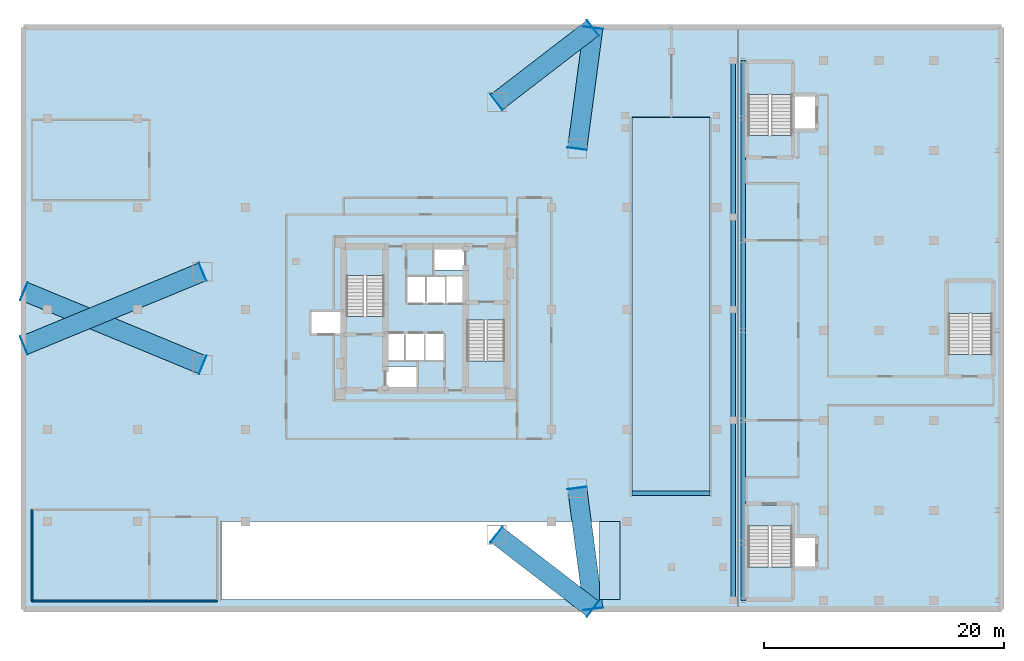
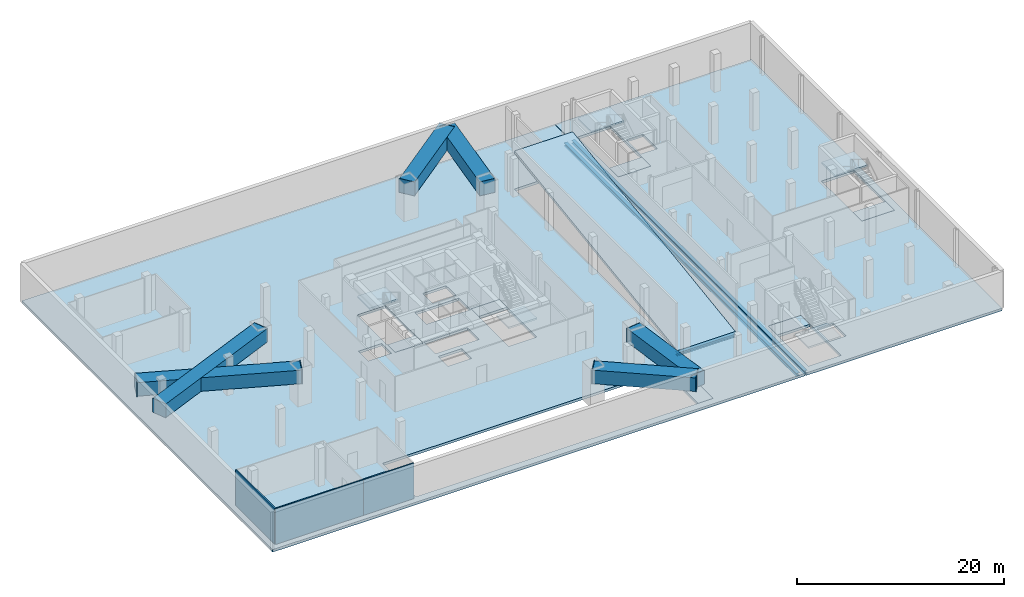
# One storey, part 4 of 14: 14 slabs, 12 plates, 9 beams, 3 walls, 5 elements without a shape of their own.
"""IFC4 building model written with IfcOpenShell, lengths in metres."""

from ifc_helpers import new_model, si_unit, direction, frame, frame_2d, origin, origin_2d, place, context, subcontext, project, spatial, polyline, rectangle, hollow_rectangle, i_section, outline, extrude, material, layer, layer_set, material_profile, profile_set, type_object, element, aggregate, save


model = new_model("IFC4")

# Units and contexts
model_context = context("Model", 3, precision=1e-05, world=origin(), true_north=direction((0.0, 1.0)))
body_context = subcontext(model_context, "Body", "Model", "MODEL_VIEW")
ifc_project = project(units=[si_unit("LENGTHUNIT", "METRE"), si_unit("AREAUNIT", "SQUARE_METRE"), si_unit("VOLUMEUNIT", "CUBIC_METRE"), si_unit("PLANEANGLEUNIT", "RADIAN"), si_unit("MASSUNIT", "GRAM", prefix="KILO")], contexts=[model_context])

# Site, building, storey
site_placement = place(None, origin())
site = spatial("IfcSite", under=ifc_project, at=site_placement, CompositionType="ELEMENT")
building_placement = place(site_placement, origin())
building = spatial("IfcBuilding", under=site, at=building_placement, Name="Mersakhor Tower and Convention Hall", CompositionType="ELEMENT")
storey_placement = place(building_placement, frame((0.0, 0.0, -4.5)))
storey = spatial("IfcBuildingStorey", under=building, at=storey_placement, Name="B01", CompositionType="ELEMENT", Elevation=-4.5)

# Beams
ifc_material_1 = material(Name="Steel S355", Category="steel")
ifc_material_profile_1 = material_profile(ifc_material_1, i_section(OverallWidth=0.374755859375, OverallDepth=0.37451171875, WebThickness=0.0166015625, FlangeThickness=0.027099609375, at=origin_2d()), Name="UC 356x368x202")
ifc_profile_set_1 = profile_set([ifc_material_profile_1], Name="Steel S355")
beam_type_1 = type_object("IfcBeamType", Name="BM-SPD-UC356", PredefinedType="SPANDREL", material=ifc_profile_set_1)
for number, where, z_axis, x_axis, name in (
    (1, (54.64990234375, 3.25, -0.487060546875), (0.0, 1.0, 0.0), (-1.0, 0.0, 0.0), "B01 Movement Joint West Edge Beam"),
    (2, (55.5, 3.25, -0.487060546875), (0.0, 1.0, 0.0), (-1.0, 0.0, 0.0), "B01 Movement Joint East Edge Beam"),
):
    element("IfcBeam", number, at=place(storey_placement, frame(where, z_axis=z_axis, x_axis=x_axis)), inside=storey, type_object=beam_type_1, Name=name, PredefinedType="SPANDREL", context=body_context, shape_type="SweptSolid", body=[
        extrude(i_section(OverallWidth=0.374755859375, OverallDepth=0.37451171875, WebThickness=0.0166015625, FlangeThickness=0.027099609375, at=origin_2d()), origin(), (0.0, 0.0, 1.0), 45.0),
    ])
beam_1_placement = place(storey_placement, frame((46.199951171875, 12.179931640625, -0.487060546875), z_axis=(1.0, 0.0, 0.0), x_axis=(0.0, 1.0, 0.0)))
element("IfcBeam", 3, at=beam_1_placement, inside=storey, type_object=beam_type_1, Name="B01 Vehicle Ramp Foot Bearing Beam", PredefinedType="SPANDREL", context=body_context, shape_type="SweptSolid", body=[
    extrude(i_section(OverallWidth=0.374755859375, OverallDepth=0.37451171875, WebThickness=0.0166015625, FlangeThickness=0.027099609375, at=origin_2d()), origin(), (0.0, 0.0, 1.0), 6.5),
])
ifc_material_2 = material(Name="Steel S460", Category="steel")
ifc_material_profile_2 = material_profile(ifc_material_2, hollow_rectangle(XDim=1.60009765625, YDim=1.60009765625, WallThickness=0.0400390625, at=origin_2d()), Name="SHS 1600x1600x40")
ifc_profile_set_2 = profile_set([ifc_material_profile_2], Name="Steel S460")
beam_type_2 = type_object("IfcBeamType", Name="BM-TR-BOX1600", PredefinedType="BEAM", material=ifc_profile_set_2)
beam_2_placement = place(storey_placement, frame((10.416748046875, 30.6279296875, 3.39990234375), z_axis=(-0.924437396985, -0.381333842002, 0.0), x_axis=(0.381333842002, -0.924437396985, 0.0)))
element("IfcBeam", 4, at=beam_2_placement, inside=storey, type_object=beam_type_2, Name="B01 Pilotis Y-Branch Foot Transfer Girder YFT-F1-A", PredefinedType="BEAM", context=body_context, shape_type="SweptSolid", body=[
    extrude(hollow_rectangle(XDim=1.60009765625, YDim=1.60009765625, WallThickness=0.0400390625, at=origin_2d()), origin(), (0.0, 0.0, 1.0), 16.081787109375),
])
beam_3_placement = place(storey_placement, frame((34.933349609375, 44.78271484375, 3.39990234375), z_axis=(0.792468685056, 0.609912602925, 0.0), x_axis=(-0.609912602925, 0.792468685056, 0.0)))
element("IfcBeam", 5, at=beam_3_placement, inside=storey, type_object=beam_type_2, Name="B01 Pilotis Y-Branch Foot Transfer Girder YFT-F1-B", PredefinedType="BEAM", context=body_context, shape_type="SweptSolid", body=[
    extrude(hollow_rectangle(XDim=1.60009765625, YDim=1.60009765625, WallThickness=0.0400390625, at=origin_2d()), origin(), (0.0, 0.0, 1.0), 10.111572265625),
])
for number, where, z_axis, x_axis, name in (
    (6, (41.64990234375, 40.904541015625, 3.39990234375), (0.131971198977, 0.991253551136, 0.0), (-0.991253551136, 0.131971198977, 0.0), "B01 Pilotis Y-Branch Foot Transfer Girder YFT-F2-A"),
    (7, (41.64990234375, 12.595458984375, 3.39990234375), (0.131971198977, -0.991253551136, 0.0), (0.991253551136, 0.131971198977, 0.0), "B01 Pilotis Y-Branch Foot Transfer Girder YFT-F2-B"),
):
    element("IfcBeam", number, at=place(storey_placement, frame(where, z_axis=z_axis, x_axis=x_axis)), inside=storey, type_object=beam_type_2, Name=name, PredefinedType="BEAM", context=body_context, shape_type="SweptSolid", body=[
        extrude(hollow_rectangle(XDim=1.60009765625, YDim=1.60009765625, WallThickness=0.0400390625, at=origin_2d()), origin(), (0.0, 0.0, 1.0), 10.134033203125),
    ])
beam_4_placement = place(storey_placement, frame((34.933349609375, 8.71728515625, 3.39990234375), z_axis=(0.792468685056, -0.609912602925, 0.0), x_axis=(0.609912602925, 0.792468685056, 0.0)))
element("IfcBeam", 8, at=beam_4_placement, inside=storey, type_object=beam_type_2, Name="B01 Pilotis Y-Branch Foot Transfer Girder YFT-F3-A", PredefinedType="BEAM", context=body_context, shape_type="SweptSolid", body=[
    extrude(hollow_rectangle(XDim=1.60009765625, YDim=1.60009765625, WallThickness=0.0400390625, at=origin_2d()), origin(), (0.0, 0.0, 1.0), 10.111572265625),
])
beam_5_placement = place(storey_placement, frame((10.416748046875, 22.8720703125, 3.39990234375), z_axis=(-0.924437396985, 0.381333842002, 0.0), x_axis=(-0.381333842002, -0.924437396985, 0.0)))
element("IfcBeam", 9, at=beam_5_placement, inside=storey, type_object=beam_type_2, Name="B01 Pilotis Y-Branch Foot Transfer Girder YFT-F3-B", PredefinedType="BEAM", context=body_context, shape_type="SweptSolid", body=[
    extrude(hollow_rectangle(XDim=1.60009765625, YDim=1.60009765625, WallThickness=0.0400390625, at=origin_2d()), origin(), (0.0, 0.0, 1.0), 16.081787109375),
])

# Plates
ifc_material_3 = material(Name="Steel S355", Category="steel")
ifc_layer_1 = layer(ifc_material_3, 0.031982421875)
ifc_layer_set_1 = layer_set([ifc_layer_1], Name="Steel S355")
plate_type = type_object("IfcPlateType", Name="PL-CAP-32", PredefinedType="SHEET", material=ifc_layer_set_1)
for number, where, z_axis, x_axis, name in (
    (10, (10.431396484375, 30.634033203125, 2.580078125), (0.0, 0.0, 1.0), (-0.924412958633, -0.381393080575, 0.0), "B01 Foot Transfer Inner End Cap Plate YCP0-F1-A"),
    (11, (-4.46484375, 24.4892578125, 2.580078125), (0.0, 0.0, 1.0), (-0.924412958633, -0.381393080575, 0.0), "B01 Foot Transfer Wall End Cap Plate YCP1-F1-A"),
    (12, (34.920654296875, 44.772705078125, 2.580078125), (0.0, 0.0, 1.0), (0.792502575922, 0.609868565477, 0.0), "B01 Foot Transfer Inner End Cap Plate YCP0-F1-B"),
    (13, (42.959228515625, 50.959716796875, 2.580078125), (0.0, 0.0, 1.0), (0.792502575922, 0.609868565477, 0.0), "B01 Foot Transfer Wall End Cap Plate YCP1-F1-B"),
    (14, (41.64794921875, 40.888671875, 2.580078125), (0.0, 0.0, 1.0), (0.131910382711, 0.991261646052, 0.0), "B01 Foot Transfer Inner End Cap Plate YCP0-F2-A"),
    (15, (42.989501953125, 50.9658203125, 2.580078125), (0.0, 0.0, 1.0), (0.131910382711, 0.991261646052, 0.0), "B01 Foot Transfer Wall End Cap Plate YCP1-F2-A"),
    (16, (41.64794921875, 12.611328125, 2.580078125), (0.0, 0.0, 1.0), (0.131910382711, -0.991261646052, 0.0), "B01 Foot Transfer Inner End Cap Plate YCP0-F2-B"),
    (17, (42.989501953125, 2.5341796875, 2.580078125), (0.0, 0.0, 1.0), (0.131910382711, -0.991261646052, 0.0), "B01 Foot Transfer Wall End Cap Plate YCP1-F2-B"),
    (18, (34.920654296875, 8.727294921875, 2.580078125), (0.0, 0.0, 1.0), (0.792502575922, -0.609868565477, 0.0), "B01 Foot Transfer Inner End Cap Plate YCP0-F3-A"),
    (19, (42.959228515625, 2.540283203125, 2.580078125), (0.0, 0.0, 1.0), (0.792502575922, -0.609868565477, 0.0), "B01 Foot Transfer Wall End Cap Plate YCP1-F3-A"),
    (20, (10.431396484375, 22.865966796875, 2.580078125), (0.0, 0.0, 1.0), (-0.924412958633, 0.381393080575, 0.0), "B01 Foot Transfer Inner End Cap Plate YCP0-F3-B"),
    (21, (-4.46484375, 29.0107421875, 2.580078125), (0.0, 0.0, 1.0), (-0.924412958633, 0.381393080575, 0.0), "B01 Foot Transfer Wall End Cap Plate YCP1-F3-B"),
):
    element("IfcPlate", number, at=place(storey_placement, frame(where, z_axis=z_axis, x_axis=x_axis)), inside=storey, type_object=plate_type, Name=name, PredefinedType="SHEET", context=body_context, shape_type="SweptSolid", body=[
        extrude(rectangle(XDim=0.031982421875, YDim=1.639892578125, at=origin_2d()), origin(), (0.0, 0.0, 1.0), 1.639892578125),
    ])

# Slabs
ifc_material_4 = material(Name="Concrete C45/55", Category="concrete")
ifc_layer_2 = layer(ifc_material_4, 0.300048828125)
ifc_layer_set_2 = layer_set([ifc_layer_2], Name="Concrete C45/55")
slab_type_1 = type_object("IfcSlabType", Name="SL-FLR-300", PredefinedType="FLOOR", material=ifc_layer_set_2)
slab_1_placement = place(storey_placement, frame((0.0, 0.0, -0.300048828125)))
element("IfcSlab", 22, at=slab_1_placement, inside=storey, type_object=slab_type_1, Name="B01 ST-1 Structural Stair Floor Landing", PredefinedType="LANDING", context=body_context, shape_type="SweptSolid", body=[
    extrude(outline(polyline([(25.550048828125, 25.39990234375), (25.550048828125, 26.89990234375), (22.39990234375, 26.89990234375), (22.39990234375, 25.39990234375), (25.550048828125, 25.39990234375)])), origin(), (0.0, 0.0, 1.0), 0.300048828125),
])
slab_2_placement = place(storey_placement, frame((0.0, 0.0, -0.300048828125)))
element("IfcSlab", 23, at=slab_2_placement, inside=storey, type_object=slab_type_1, Name="B01 ST-2 Structural Stair Floor Landing", PredefinedType="LANDING", context=body_context, shape_type="SweptSolid", body=[
    extrude(outline(polyline([(32.449951171875, 28.10009765625), (32.449951171875, 26.60009765625), (35.60009765625, 26.60009765625), (35.60009765625, 28.10009765625), (32.449951171875, 28.10009765625)])), origin(), (0.0, 0.0, 1.0), 0.300048828125),
])
slab_3_placement = place(storey_placement, frame((0.0, 0.0, -0.300048828125)))
element("IfcSlab", 24, at=slab_3_placement, inside=storey, type_object=slab_type_1, Name="B01 CH-ST1 Structural Stair Floor Landing", PredefinedType="LANDING", context=body_context, shape_type="SweptSolid", body=[
    extrude(outline(polyline([(55.89990234375, 11.199951171875), (55.89990234375, 9.449951171875), (59.550048828125, 9.449951171875), (59.550048828125, 11.199951171875), (55.89990234375, 11.199951171875)])), origin(), (0.0, 0.0, 1.0), 0.300048828125),
])
slab_4_placement = place(storey_placement, frame((0.0, 0.0, -0.300048828125)))
element("IfcSlab", 25, at=slab_4_placement, inside=storey, type_object=slab_type_1, Name="B01 CH-ST2 Structural Stair Floor Landing", PredefinedType="LANDING", context=body_context, shape_type="SweptSolid", body=[
    extrude(outline(polyline([(59.550048828125, 40.25), (59.550048828125, 42.0), (55.89990234375, 42.0), (55.89990234375, 40.25), (59.550048828125, 40.25)])), origin(), (0.0, 0.0, 1.0), 0.300048828125),
])
slab_5_placement = place(storey_placement, frame((0.0, 0.0, -0.300048828125)))
element("IfcSlab", 26, at=slab_5_placement, inside=storey, type_object=slab_type_1, Name="B01 CH-ST3 Structural Stair Floor Landing", PredefinedType="LANDING", context=body_context, shape_type="SweptSolid", body=[
    extrude(outline(polyline([(76.25, 22.0), (76.25, 23.75), (72.60009765625, 23.75), (72.60009765625, 22.0), (76.25, 22.0)])), origin(), (0.0, 0.0, 1.0), 0.300048828125),
])
slab_6_placement = place(storey_placement, frame((0.0, 0.0, -0.300048828125)))
element("IfcSlab", 27, at=slab_6_placement, inside=storey, type_object=slab_type_1, Name="Basement B01 Tower Zone Suspended Floor Slab", PredefinedType="FLOOR", context=body_context, shape_type="SweptSolid", body=[
    extrude(outline(polyline([(-4.5, 2.5), (-4.5, 51.0), (55.0, 51.0), (55.0, 2.5), (-4.5, 2.5)]), holes=[polyline([(12.0, 3.300048828125), (12.0, 9.800048828125), (45.199951171875, 9.800048828125), (45.199951171875, 3.300048828125), (12.0, 3.300048828125)]), polyline([(46.199951171875, 12.0), (46.199951171875, 43.5), (52.699951171875, 43.5), (52.699951171875, 12.0), (46.199951171875, 12.0)]), polyline([(25.550048828125, 25.39990234375), (25.550048828125, 32.699951171875), (22.39990234375, 32.699951171875), (22.39990234375, 25.39990234375), (25.550048828125, 25.39990234375)]), polyline([(32.449951171875, 28.10009765625), (32.449951171875, 20.800048828125), (35.60009765625, 20.800048828125), (35.60009765625, 28.10009765625), (32.449951171875, 28.10009765625)]), polyline([(25.679931640625, 20.820068359375), (25.679931640625, 22.719970703125), (28.320068359375, 22.719970703125), (28.320068359375, 20.820068359375), (25.679931640625, 20.820068359375)]), polyline([(29.679931640625, 30.780029296875), (29.679931640625, 32.679931640625), (32.320068359375, 32.679931640625), (32.320068359375, 30.780029296875), (29.679931640625, 30.780029296875)]), polyline([(25.679931640625, 23.25), (25.679931640625, 25.5), (30.570068359375, 25.5), (30.570068359375, 23.25), (25.679931640625, 23.25)]), polyline([(27.429931640625, 28.0), (27.429931640625, 30.25), (32.320068359375, 30.25), (32.320068359375, 28.0), (27.429931640625, 28.0)]), polyline([(19.449951171875, 25.449951171875), (19.449951171875, 27.35009765625), (22.050048828125, 27.35009765625), (22.050048828125, 25.449951171875), (19.449951171875, 25.449951171875)])]), origin(), (0.0, 0.0, 1.0), 0.300048828125),
])
slab_7_placement = place(storey_placement, frame((0.0, 0.0, -0.300048828125)))
element("IfcSlab", 28, at=slab_7_placement, inside=storey, type_object=slab_type_1, Name="Basement B01 Convention Zone Suspended Floor Slab", PredefinedType="FLOOR", context=body_context, shape_type="SweptSolid", body=[
    extrude(outline(polyline([(55.074951171875, 2.5), (55.074951171875, 51.0), (77.0, 51.0), (77.0, 2.5), (55.074951171875, 2.5)]), holes=[polyline([(55.89990234375, 11.199951171875), (55.89990234375, 3.39990234375), (59.550048828125, 3.39990234375), (59.550048828125, 11.199951171875), (55.89990234375, 11.199951171875)]), polyline([(59.550048828125, 40.25), (59.550048828125, 48.050048828125), (55.89990234375, 48.050048828125), (55.89990234375, 40.25), (59.550048828125, 40.25)]), polyline([(76.25, 22.0), (76.25, 29.800048828125), (72.60009765625, 29.800048828125), (72.60009765625, 22.0), (76.25, 22.0)]), polyline([(59.75, 6.0), (59.75, 8.5), (61.60009765625, 8.5), (61.60009765625, 6.0), (59.75, 6.0)]), polyline([(59.75, 42.5), (59.75, 45.300048828125), (61.60009765625, 45.300048828125), (61.60009765625, 42.5), (59.75, 42.5)])]), origin(), (0.0, 0.0, 1.0), 0.300048828125),
])
slab_8_placement = place(storey_placement, frame((0.0, 0.0, -0.300048828125)))
element("IfcSlab", 29, at=slab_8_placement, inside=storey, type_object=slab_type_1, Name="B01 Vehicle Ramp Arrival Landing Slab", PredefinedType="LANDING", context=body_context, shape_type="SweptSolid", body=[
    extrude(outline(polyline([(43.5, 3.300048828125), (43.5, 9.800048828125), (45.199951171875, 9.800048828125), (45.199951171875, 3.300048828125), (43.5, 3.300048828125)])), origin(), (0.0, 0.0, 1.0), 0.300048828125),
])
slab_9_placement = place(storey_placement, frame((46.199951171875, 12.0, 0.0), z_axis=(0.0, -0.141421356237, 0.989949493661), x_axis=(1.0, 0.0, 0.0)))
element("IfcSlab", 30, at=slab_9_placement, inside=storey, type_object=slab_type_1, Name="Car Park Vehicle Ramp R1 Grade Flight 2 Structural Slab", PredefinedType="FLOOR", context=body_context, shape_type="SweptSolid", body=[
    extrude(outline(polyline([(0.0, 0.0), (6.5, 0.0), (6.5, 31.81980515339464), (0.0, 31.81980515339464), (0.0, 0.0)])), origin(), (0.0, 0.0, -1.0), 0.300048828125),
])

# Stair, slab
ifc_material_5 = material(Name="Concrete C45/55", Category="concrete")
stair_type_1 = type_object("IfcStairType", Name="ST-TWR-26R", PredefinedType="HALF_TURN_STAIR", material=ifc_material_5)
stair_1_placement = place(storey_placement, origin())
stair_1 = element("IfcStair", 31, at=stair_1_placement, inside=storey, type_object=stair_type_1, Name="B01 Tower Protected Exit Stair ST-1", PredefinedType="HALF_TURN_STAIR")
ifc_material_6 = material(Name="Concrete C45/55", Category="concrete")
ifc_layer_3 = layer(ifc_material_6, 0.199951171875)
ifc_layer_set_3 = layer_set([ifc_layer_3], Name="Concrete C45/55")
slab_type_2 = type_object("IfcSlabType", Name="SL-LAND-200", PredefinedType="LANDING", material=ifc_layer_set_3)
slab_10_placement = place(storey_placement, frame((0.0, 0.0, 2.050048828125)))
slab_10 = element("IfcSlab", 32, at=slab_10_placement, type_object=slab_type_2, Name="ST-1 landing 1", PredefinedType="LANDING", context=body_context, shape_type="SweptSolid", body=[
    extrude(outline(polyline([(25.550048828125, 30.320068359375), (25.550048828125, 32.699951171875), (22.39990234375, 32.699951171875), (22.39990234375, 30.320068359375), (25.550048828125, 30.320068359375)])), origin(), (0.0, 0.0, 1.0), 0.199951171875),
])
aggregate(stair_1, [slab_10])

stair_2_placement = place(storey_placement, origin())
stair_2 = element("IfcStair", 33, at=stair_2_placement, inside=storey, type_object=stair_type_1, Name="B01 Tower Protected Exit Stair ST-2", PredefinedType="HALF_TURN_STAIR")
slab_11_placement = place(storey_placement, frame((0.0, 0.0, 2.050048828125)))
slab_11 = element("IfcSlab", 34, at=slab_11_placement, type_object=slab_type_2, Name="ST-2 landing 1", PredefinedType="LANDING", context=body_context, shape_type="SweptSolid", body=[
    extrude(outline(polyline([(32.449951171875, 23.179931640625), (32.449951171875, 20.800048828125), (35.60009765625, 20.800048828125), (35.60009765625, 23.179931640625), (32.449951171875, 23.179931640625)])), origin(), (0.0, 0.0, 1.0), 0.199951171875),
])
aggregate(stair_2, [slab_11])

ifc_material_7 = material(Name="Concrete C45/55", Category="concrete")
stair_type_2 = type_object("IfcStairType", Name="ST-CNV-26R", PredefinedType="HALF_TURN_STAIR", material=ifc_material_7)
stair_3_placement = place(storey_placement, origin())
stair_3 = element("IfcStair", 35, at=stair_3_placement, inside=storey, type_object=stair_type_2, Name="B01 Convention Hall Exit Stair CH-ST1", PredefinedType="HALF_TURN_STAIR")
slab_12_placement = place(storey_placement, frame((0.0, 0.0, 2.050048828125)))
slab_12 = element("IfcSlab", 36, at=slab_12_placement, type_object=slab_type_2, Name="CH-ST1 landing 1", PredefinedType="LANDING", context=body_context, shape_type="SweptSolid", body=[
    extrude(outline(polyline([(55.89990234375, 6.030029296875), (55.89990234375, 3.39990234375), (59.550048828125, 3.39990234375), (59.550048828125, 6.030029296875), (55.89990234375, 6.030029296875)])), origin(), (0.0, 0.0, 1.0), 0.199951171875),
])
aggregate(stair_3, [slab_12])

stair_4_placement = place(storey_placement, origin())
stair_4 = element("IfcStair", 37, at=stair_4_placement, inside=storey, type_object=stair_type_2, Name="B01 Convention Hall Exit Stair CH-ST2", PredefinedType="HALF_TURN_STAIR")
slab_13_placement = place(storey_placement, frame((0.0, 0.0, 2.050048828125)))
slab_13 = element("IfcSlab", 38, at=slab_13_placement, type_object=slab_type_2, Name="CH-ST2 landing 1", PredefinedType="LANDING", context=body_context, shape_type="SweptSolid", body=[
    extrude(outline(polyline([(59.550048828125, 45.419921875), (59.550048828125, 48.050048828125), (55.89990234375, 48.050048828125), (55.89990234375, 45.419921875), (59.550048828125, 45.419921875)])), origin(), (0.0, 0.0, 1.0), 0.199951171875),
])
aggregate(stair_4, [slab_13])

stair_5_placement = place(storey_placement, origin())
stair_5 = element("IfcStair", 39, at=stair_5_placement, inside=storey, type_object=stair_type_2, Name="B01 Convention Hall Exit Stair CH-ST3", PredefinedType="HALF_TURN_STAIR")
slab_14_placement = place(storey_placement, frame((0.0, 0.0, 2.050048828125)))
slab_14 = element("IfcSlab", 40, at=slab_14_placement, type_object=slab_type_2, Name="CH-ST3 landing 1", PredefinedType="LANDING", context=body_context, shape_type="SweptSolid", body=[
    extrude(outline(polyline([(76.25, 27.169921875), (76.25, 29.800048828125), (72.60009765625, 29.800048828125), (72.60009765625, 27.169921875), (76.25, 27.169921875)])), origin(), (0.0, 0.0, 1.0), 0.199951171875),
])
aggregate(stair_5, [slab_14])

# Walls
ifc_material_8 = material(Name="Fire-rated gypsum board stud partition", Category="other")
ifc_layer_4 = layer(ifc_material_8, 0.14990234375)
ifc_layer_set_4 = layer_set([ifc_layer_4], Name="Fire-rated gypsum board stud partition")
wall_type = type_object("IfcWallType", Name="WL-PRT-150", PredefinedType="PARTITIONING", material=ifc_layer_set_4)
wall_1_placement = place(storey_placement, frame((6.0, 3.199951171875, 0.0), z_axis=(0.0, 0.0, 1.0), x_axis=(-1.0, 0.0, 0.0)))
element("IfcWall", 41, at=wall_1_placement, inside=storey, type_object=wall_type, Name="B01 Interior Partition Wall P-056", PredefinedType="PARTITIONING", context=body_context, shape_type="SweptSolid", body=[
    extrude(rectangle(XDim=9.800048828125, YDim=0.14990234375, at=frame_2d((4.89990234375, 0.0))), origin(), (0.0, 0.0, 1.0), 4.199951171875),
])
wall_2_placement = place(storey_placement, frame((-3.800048828125, 3.199951171875, 0.0), z_axis=(0.0, 0.0, 1.0), x_axis=(0.0, 1.0, 0.0)))
element("IfcWall", 42, at=wall_2_placement, inside=storey, type_object=wall_type, Name="B01 Interior Partition Wall P-057", PredefinedType="PARTITIONING", context=body_context, shape_type="SweptSolid", body=[
    extrude(rectangle(XDim=7.60009765625, YDim=0.14990234375, at=frame_2d((3.800048828125, 0.0))), origin(), (0.0, 0.0, 1.0), 4.199951171875),
])
wall_3_placement = place(storey_placement, frame((11.64990234375, 3.199951171875, 0.0), z_axis=(0.0, 0.0, 1.0), x_axis=(-1.0, 0.0, 0.0)))
element("IfcWall", 43, at=wall_3_placement, inside=storey, type_object=wall_type, Name="B01 Interior Partition Wall P-060", PredefinedType="PARTITIONING", context=body_context, shape_type="SweptSolid", body=[
    extrude(rectangle(XDim=5.64990234375, YDim=0.14990234375, at=frame_2d((2.824951171875, 0.0))), origin(), (0.0, 0.0, 1.0), 4.199951171875),
])

save(model, "model.ifc")
